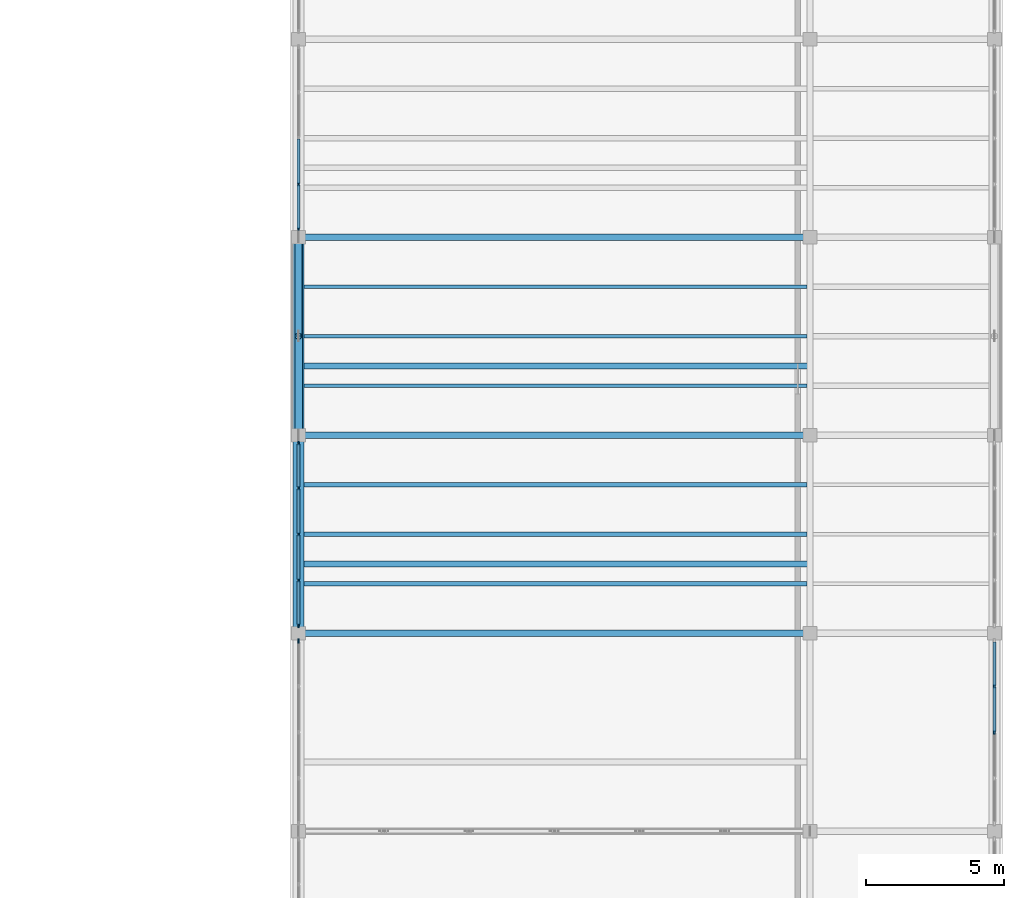
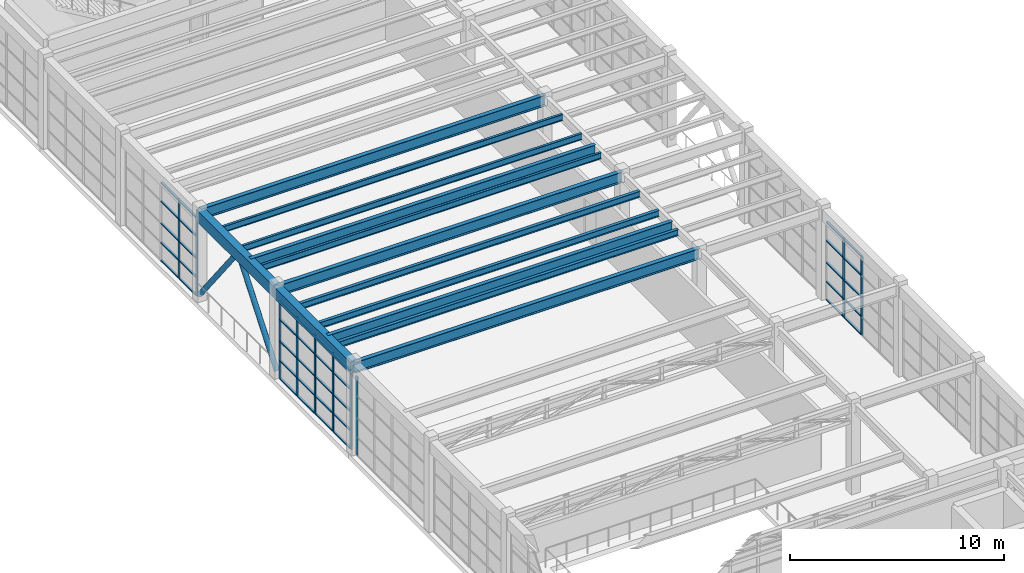
# One storey, part 53 of 103: 52 members, 13 beams, 4 elements without a shape of their own.
"""IFC4 building model written with IfcOpenShell, lengths in metres."""

import ifcopenshell
import ifcopenshell.guid

model = None  # the IFC model being written
_history = None  # IfcOwnerHistory: only IFC2X3 demands one
_inside = {}  # id of a spatial element -> (the spatial element, [elements in it])
_under = {}  # id of a project, library or spatial element -> (it, [spatial elements below it])
_declared = {}  # id of a project -> (the project, [libraries it declares])
_typed = {}  # id of a type object -> (the type object, [elements of that type])
_made_of = {}  # id of a material, layer set ... -> (it, [elements and type objects made of it])


def new_model(schema):
    """Start an empty IFC model of exactly this schema.

    Asked for "IFC4X3", IfcOpenShell would pick the latest addendum, in which some entities
    have other attributes; the version numbers below select the first issue.
    IFC2X3 requires an IfcOwnerHistory on every rooted entity: one is made here for all.
    """
    global model, _history
    if schema == "IFC4X3":
        model = ifcopenshell.file(schema_version=(4, 3, 0, 0))
    else:
        model = ifcopenshell.file(schema=schema)
    _inside.clear()
    _under.clear()
    _declared.clear()
    _typed.clear()
    _made_of.clear()
    _history = None
    if model.schema == "IFC2X3":
        org = make("IfcOrganization", Name="unknown")
        user = make(
            "IfcPersonAndOrganization",
            ThePerson=make("IfcPerson", FamilyName="unknown"),
            TheOrganization=org,
        )
        app = make(
            "IfcApplication",
            ApplicationDeveloper=org,
            Version="unknown",
            ApplicationFullName="unknown",
            ApplicationIdentifier="unknown",
        )
        _history = make(
            "IfcOwnerHistory",
            OwningUser=user,
            OwningApplication=app,
            ChangeAction="ADDED",
            CreationDate=0,
        )
    return model


def make(cls, **values):
    """One entity of the class cls with the attributes given. An attribute that is None is left unset."""
    return model.create_entity(
        cls, **{name: value for name, value in values.items() if value is not None}
    )


def rooted(cls, **values):
    """An entity with a GlobalId (a new one), such as an element, a storey or a relation."""
    return make(cls, GlobalId=ifcopenshell.guid.new(), OwnerHistory=_history, **values)


def si_unit(unit_type, name, prefix=None):
    """IfcSIUnit, for example si_unit("LENGTHUNIT", "METRE", prefix="MILLI")."""
    return make("IfcSIUnit", UnitType=unit_type, Prefix=prefix, Name=name)


def assignment(units):
    """IfcUnitAssignment: the units of a project."""
    return None if units is None else make("IfcUnitAssignment", Units=units)


def point(xyz):
    """IfcCartesianPoint."""
    return None if xyz is None else make("IfcCartesianPoint", Coordinates=xyz)


def direction(xyz):
    """IfcDirection."""
    return None if xyz is None else make("IfcDirection", DirectionRatios=xyz)


def frame(location, z_axis=None, x_axis=None):
    """IfcAxis2Placement3D, a coordinate frame: its origin and axes. An axis left out is left unset."""
    return make(
        "IfcAxis2Placement3D",
        Location=point(location),
        Axis=direction(z_axis),
        RefDirection=direction(x_axis),
    )


def frame_2d(location, x_axis=None):
    """IfcAxis2Placement2D, a coordinate frame in the plane: its origin and x axis."""
    return make(
        "IfcAxis2Placement2D", Location=point(location), RefDirection=direction(x_axis)
    )


def origin():
    """The frame at (0, 0, 0) with its axes left unset."""
    return frame((0.0, 0.0, 0.0))


def origin_2d():
    """The frame at (0, 0) in the plane with its x axis left unset."""
    return frame_2d((0.0, 0.0))


def place(relative_to, where):
    """IfcLocalPlacement: puts the frame where relative to a parent placement (None: the world)."""
    return make(
        "IfcLocalPlacement", PlacementRelTo=relative_to, RelativePlacement=where
    )


def context(
    kind, dimensions, precision=None, world=None, true_north=None, identifier=None
):
    """IfcGeometricRepresentationContext, for example the 3D "Model" context."""
    return make(
        "IfcGeometricRepresentationContext",
        ContextIdentifier=identifier,
        ContextType=kind,
        CoordinateSpaceDimension=dimensions,
        Precision=precision,
        WorldCoordinateSystem=world,
        TrueNorth=true_north,
    )


def subcontext(parent, identifier, kind, view, scale=None):
    """IfcGeometricRepresentationSubContext, for example "Body" below "Model"."""
    return make(
        "IfcGeometricRepresentationSubContext",
        ContextIdentifier=identifier,
        ContextType=kind,
        ParentContext=parent,
        TargetScale=scale,
        TargetView=view,
    )


def project(units=None, contexts=None):
    """IfcProject with its units and contexts."""
    return rooted(
        "IfcProject",
        Name="project",
        RepresentationContexts=contexts,
        UnitsInContext=assignment(units),
    )


def spatial(cls, under=None, at=None, **own):
    """A site, building, storey or space (cls), placed at a placement, below another one or the project."""
    s = rooted(cls, ObjectPlacement=at, **own)
    if under is not None:
        _under.setdefault(under.id(), (under, []))[1].append(s)
    return s


def profile(cls, at=None, kind="AREA", **sizes):
    """A parametric profile (cls). Its sizes go by their IFC names, for example OverallWidth=200.0."""
    return make(cls, ProfileType=kind, Position=at, **sizes)


def rectangle(**sizes):
    """IfcRectangleProfileDef."""
    return profile("IfcRectangleProfileDef", **sizes)


def hollow_circle(**sizes):
    """IfcCircleHollowProfileDef."""
    return profile("IfcCircleHollowProfileDef", **sizes)


def i_section(**sizes):
    """IfcIShapeProfileDef."""
    return profile("IfcIShapeProfileDef", **sizes)


def extrude(swept, where, along, depth):
    """IfcExtrudedAreaSolid: the profile swept, set in the frame where, extruded along a direction by depth."""
    return make(
        "IfcExtrudedAreaSolid",
        SweptArea=swept,
        Position=where,
        ExtrudedDirection=direction(along),
        Depth=depth,
    )


def shape(context_of_items, identifier, shape_type, items):
    """IfcShapeRepresentation: the items that make up one representation, for example the "Body"."""
    return make(
        "IfcShapeRepresentation",
        ContextOfItems=context_of_items,
        RepresentationIdentifier=identifier,
        RepresentationType=shape_type,
        Items=items,
    )


def material(Name=None, Category=None):
    """IfcMaterial."""
    return make("IfcMaterial", Name=Name, Category=Category)


def layer(
    of_material, thickness, ventilated=None, Name=None, Category=None, Priority=None
):
    """IfcMaterialLayer: one layer of a wall or slab, of a material (None: an air gap)."""
    return make(
        "IfcMaterialLayer",
        Material=of_material,
        LayerThickness=thickness,
        IsVentilated=ventilated,
        Name=Name,
        Category=Category,
        Priority=Priority,
    )


def layer_set(layers, Name=None):
    """IfcMaterialLayerSet."""
    return make("IfcMaterialLayerSet", MaterialLayers=layers, LayerSetName=Name)


def material_profile(
    of_material, cross_section, Name=None, Category=None, Priority=None
):
    """IfcMaterialProfile: a cross section and its material."""
    return make(
        "IfcMaterialProfile",
        Name=Name,
        Material=of_material,
        Profile=cross_section,
        Priority=Priority,
        Category=Category,
    )


def profile_set(profiles, Name=None, composite=None):
    """IfcMaterialProfileSet."""
    return make(
        "IfcMaterialProfileSet",
        Name=Name,
        MaterialProfiles=profiles,
        CompositeProfile=composite,
    )


def made_of(thing, what):
    """Note that an element or type object is made of a material, layer set ...; save() writes the relation."""
    if what is not None:
        _made_of.setdefault(what.id(), (what, []))[1].append(thing)
    return thing


def type_object(cls, material=None, **own):
    """A type object (cls), such as IfcWallType, which elements share."""
    return made_of(rooted(cls, **own), material)


def element(
    cls,
    number,
    at=None,
    inside=None,
    cuts=None,
    type_object=None,
    material=None,
    context=None,
    identifier="Body",
    shape_type=None,
    held_by="IfcProductDefinitionShape",
    body=None,
    shapes=None,
    **own,
):
    """One element of the class cls, such as IfcWall. Its Tag is "e" and its number.

    at: its placement. inside: the storey or other place that contains it. cuts: it is an
    opening in that element (IfcRelVoidsElement). A single representation is given by context,
    identifier, shape_type and body (its items); several are given by shapes. held_by: the class
    of the entity that holds the representations. save() writes the other relations.
    """
    e = rooted(cls, Tag="e%d" % number, ObjectPlacement=at, **own)
    if body is not None:
        shapes = [shape(context, identifier, shape_type, body)]
    if shapes is not None:
        e.Representation = make(held_by, Representations=shapes)
    if inside is not None:
        _inside.setdefault(inside.id(), (inside, []))[1].append(e)
    if cuts is not None:
        rooted(
            "IfcRelVoidsElement", RelatingBuildingElement=cuts, RelatedOpeningElement=e
        )
    if type_object is not None:
        _typed.setdefault(type_object.id(), (type_object, []))[1].append(e)
    return made_of(e, material)


def aggregate(whole, parts):
    """IfcRelAggregates: a whole, such as a stair, and the parts it consists of."""
    return rooted("IfcRelAggregates", RelatingObject=whole, RelatedObjects=parts)


def save(model, path):
    """Write the relations noted so far, then the file.

    IfcRelAggregates (storeys below a building ...), IfcRelContainedInSpatialStructure (elements
    in a storey), IfcRelDefinesByType, IfcRelAssociatesMaterial and IfcRelDeclares: one each for
    every whole, place, type object, material and project.
    """
    for whole, parts in _under.values():
        aggregate(whole, parts)
    for where, things in _inside.values():
        rooted(
            "IfcRelContainedInSpatialStructure",
            RelatedElements=things,
            RelatingStructure=where,
        )
    for kind, things in _typed.values():
        rooted("IfcRelDefinesByType", RelatedObjects=things, RelatingType=kind)
    for what, things in _made_of.values():
        rooted("IfcRelAssociatesMaterial", RelatedObjects=things, RelatingMaterial=what)
    for by, libraries in _declared.values():
        rooted("IfcRelDeclares", RelatingContext=by, RelatedDefinitions=libraries)
    model.write(path)


model = new_model("IFC4")

# Units and contexts
model_context = context("Model", 3, precision=1e-05, world=origin(), true_north=direction((0.0, 1.0)))
body_context = subcontext(model_context, "Body", "Model", "MODEL_VIEW")
ifc_project = project(units=[si_unit("LENGTHUNIT", "METRE"), si_unit("AREAUNIT", "SQUARE_METRE"), si_unit("VOLUMEUNIT", "CUBIC_METRE"), si_unit("PLANEANGLEUNIT", "RADIAN"), si_unit("MASSUNIT", "GRAM", prefix="KILO")], contexts=[model_context])

# Site, building, storey
site_placement = place(None, origin())
site = spatial("IfcSite", under=ifc_project, at=site_placement, CompositionType="ELEMENT")
building_placement = place(site_placement, origin())
building = spatial("IfcBuilding", under=site, at=building_placement, Name="Candilejo Ridge Gondola Terminal", CompositionType="ELEMENT")
storey_placement = place(building_placement, frame((0.0, 0.0, 9.0)))
storey = spatial("IfcBuildingStorey", under=building, at=storey_placement, Name="L02", CompositionType="ELEMENT", Elevation=9.0)

# Curtain wall, member
ifc_material_1 = material(Name="Anodised aluminium AA 6063-T6", Category="aluminium")
ifc_layer = layer(ifc_material_1, 0.169921875)
ifc_layer_set = layer_set([ifc_layer], Name="ARC-CW-TOWER-3000-670X449")
curtain_wall_type = type_object("IfcCurtainWallType", Name="ARC-CW-TOWER-3000-670X449", PredefinedType="NOTDEFINED", material=ifc_layer_set)
curtain_wall_1_placement = place(storey_placement, origin())
curtain_wall_1 = element("IfcCurtainWall", 1, at=curtain_wall_1_placement, inside=storey, type_object=curtain_wall_type, Name="Curtain wall V5 L02-178", PredefinedType="NOTDEFINED")
ifc_material_2 = material(Name="Anodised aluminium AA 6063-T6", Category="aluminium")
ifc_material_profile_1 = material_profile(ifc_material_2, rectangle(XDim=0.06494140625, YDim=0.14990234375, at=origin_2d()))
ifc_profile_set_1 = profile_set([ifc_material_profile_1], Name="Anodised aluminium AA 6063-T6")
member_type_1 = type_object("IfcMemberType", Name="ARC-CW-MULLION-150", PredefinedType="MULLION", material=ifc_profile_set_1)
member_1_placement = place(storey_placement, frame((150.0, 69.967529296875, 0.0), z_axis=(0.0, 0.0, 1.0), x_axis=(-1.0, 0.0, 0.0)))
member_1 = element("IfcMember", 2, at=member_1_placement, type_object=member_type_1, Name="CW-67X44 mullion 5", PredefinedType="MULLION", context=body_context, shape_type="SweptSolid", body=[
    extrude(rectangle(XDim=0.06494140625, YDim=0.14990234375, at=origin_2d()), origin(), (0.0, 0.0, 1.0), 4.489990234375),
])
aggregate(curtain_wall_1, [member_1])

# Curtain wall, members
curtain_wall_2_placement = place(storey_placement, origin())
curtain_wall_2 = element("IfcCurtainWall", 3, at=curtain_wall_2_placement, inside=storey, type_object=curtain_wall_type, Name="Curtain wall V5 L02-179", PredefinedType="NOTDEFINED")
member_2_placement = place(storey_placement, frame((175.300048828125, 66.64990234375, 0.0), z_axis=(0.0, 0.0, 1.0), x_axis=(-1.0, 0.0, 0.0)))
member_2 = element("IfcMember", 4, at=member_2_placement, type_object=member_type_1, Name="CW-67X44 mullion 3", PredefinedType="MULLION", context=body_context, shape_type="SweptSolid", body=[
    extrude(rectangle(XDim=0.06494140625, YDim=0.14990234375, at=origin_2d()), origin(), (0.0, 0.0, 1.0), 4.489990234375),
])
member_3_placement = place(storey_placement, frame((175.300048828125, 68.324951171875, 0.0), z_axis=(0.0, 0.0, 1.0), x_axis=(-1.0, 0.0, 0.0)))
member_3 = element("IfcMember", 5, at=member_3_placement, type_object=member_type_1, Name="CW-67X44 mullion 4", PredefinedType="MULLION", context=body_context, shape_type="SweptSolid", body=[
    extrude(rectangle(XDim=0.06494140625, YDim=0.14990234375, at=origin_2d()), origin(), (0.0, 0.0, 1.0), 4.489990234375),
])

curtain_wall_3_placement = place(storey_placement, origin())
curtain_wall_3 = element("IfcCurtainWall", 6, at=curtain_wall_3_placement, inside=storey, type_object=curtain_wall_type, Name="Curtain wall V5 L02-180", PredefinedType="NOTDEFINED")
member_4_placement = place(storey_placement, frame((150.0, 70.532470703125, 0.0), z_axis=(0.0, 0.0, 1.0), x_axis=(-1.0, 0.0, 0.0)))
member_4 = element("IfcMember", 7, at=member_4_placement, type_object=member_type_1, Name="CW-67X44 mullion 1", PredefinedType="MULLION", context=body_context, shape_type="SweptSolid", body=[
    extrude(rectangle(XDim=0.06494140625, YDim=0.14990234375, at=origin_2d()), origin(), (0.0, 0.0, 1.0), 4.489990234375),
])
member_5_placement = place(storey_placement, frame((150.0, 72.175048828125, 0.0), z_axis=(0.0, 0.0, 1.0), x_axis=(-1.0, 0.0, 0.0)))
member_5 = element("IfcMember", 8, at=member_5_placement, type_object=member_type_1, Name="CW-67X44 mullion 2", PredefinedType="MULLION", context=body_context, shape_type="SweptSolid", body=[
    extrude(rectangle(XDim=0.06494140625, YDim=0.14990234375, at=origin_2d()), origin(), (0.0, 0.0, 1.0), 4.489990234375),
])
member_6_placement = place(storey_placement, frame((150.0, 73.85009765625, 0.0), z_axis=(0.0, 0.0, 1.0), x_axis=(-1.0, 0.0, 0.0)))
member_6 = element("IfcMember", 9, at=member_6_placement, type_object=member_type_1, Name="CW-67X44 mullion 3", PredefinedType="MULLION", context=body_context, shape_type="SweptSolid", body=[
    extrude(rectangle(XDim=0.06494140625, YDim=0.14990234375, at=origin_2d()), origin(), (0.0, 0.0, 1.0), 4.489990234375),
])
member_7_placement = place(storey_placement, frame((150.0, 75.52490234375, 0.0), z_axis=(0.0, 0.0, 1.0), x_axis=(-1.0, 0.0, 0.0)))
member_7 = element("IfcMember", 10, at=member_7_placement, type_object=member_type_1, Name="CW-67X44 mullion 4", PredefinedType="MULLION", context=body_context, shape_type="SweptSolid", body=[
    extrude(rectangle(XDim=0.06494140625, YDim=0.14990234375, at=origin_2d()), origin(), (0.0, 0.0, 1.0), 4.489990234375),
])
member_8_placement = place(storey_placement, frame((150.0, 77.16748046875, 0.0), z_axis=(0.0, 0.0, 1.0), x_axis=(-1.0, 0.0, 0.0)))
member_8 = element("IfcMember", 11, at=member_8_placement, type_object=member_type_1, Name="CW-67X44 mullion 5", PredefinedType="MULLION", context=body_context, shape_type="SweptSolid", body=[
    extrude(rectangle(XDim=0.06494140625, YDim=0.14990234375, at=origin_2d()), origin(), (0.0, 0.0, 1.0), 4.489990234375),
])

curtain_wall_4_placement = place(storey_placement, origin())
curtain_wall_4 = element("IfcCurtainWall", 12, at=curtain_wall_4_placement, inside=storey, type_object=curtain_wall_type, Name="Curtain wall V5 L02-182", PredefinedType="NOTDEFINED")
member_9_placement = place(storey_placement, frame((150.0, 84.9326171875, 0.0), z_axis=(0.0, 0.0, 1.0), x_axis=(-1.0, 0.0, 0.0)))
member_9 = element("IfcMember", 13, at=member_9_placement, type_object=member_type_1, Name="CW-67X44 mullion 1", PredefinedType="MULLION", context=body_context, shape_type="SweptSolid", body=[
    extrude(rectangle(XDim=0.06494140625, YDim=0.14990234375, at=origin_2d()), origin(), (0.0, 0.0, 1.0), 4.489990234375),
])
member_10_placement = place(storey_placement, frame((150.0, 86.574951171875, 0.0), z_axis=(0.0, 0.0, 1.0), x_axis=(-1.0, 0.0, 0.0)))
member_10 = element("IfcMember", 14, at=member_10_placement, type_object=member_type_1, Name="CW-67X44 mullion 2", PredefinedType="MULLION", context=body_context, shape_type="SweptSolid", body=[
    extrude(rectangle(XDim=0.06494140625, YDim=0.14990234375, at=origin_2d()), origin(), (0.0, 0.0, 1.0), 4.489990234375),
])

# Member
ifc_material_3 = material(Name="Anodised aluminium AA 6063-T6", Category="aluminium")
ifc_material_profile_2 = material_profile(ifc_material_3, rectangle(XDim=0.110107421875, YDim=0.06005859375, at=origin_2d()))
ifc_profile_set_2 = profile_set([ifc_material_profile_2], Name="Anodised aluminium AA 6063-T6")
member_type_2 = type_object("IfcMemberType", Name="ARC-CW-TRANSOM-110", PredefinedType="USERDEFINED", material=ifc_profile_set_2)
member_11_placement = place(storey_placement, frame((175.300048828125, 66.6826171875, 0.030029296875), z_axis=(0.0, 1.0, 0.0), x_axis=(-1.0, 0.0, 0.0)))
member_11 = element("IfcMember", 15, at=member_11_placement, type_object=member_type_2, Name="CW-67X44 transom 3.1", ObjectType="TRANSOM", PredefinedType="USERDEFINED", context=body_context, shape_type="SweptSolid", body=[
    extrude(rectangle(XDim=0.110107421875, YDim=0.06005859375, at=origin_2d()), origin(), (0.0, 0.0, 1.0), 1.60986328125),
])

member_12_placement = place(storey_placement, frame((175.300048828125, 66.6826171875, 1.050048828125), z_axis=(0.0, 1.0, 0.0), x_axis=(-1.0, 0.0, 0.0)))
member_12 = element("IfcMember", 16, at=member_12_placement, type_object=member_type_2, Name="CW-67X44 transom 3.2", ObjectType="TRANSOM", PredefinedType="USERDEFINED", context=body_context, shape_type="SweptSolid", body=[
    extrude(rectangle(XDim=0.110107421875, YDim=0.06005859375, at=origin_2d()), origin(), (0.0, 0.0, 1.0), 1.60986328125),
])

member_13_placement = place(storey_placement, frame((175.300048828125, 66.6826171875, 2.14990234375), z_axis=(0.0, 1.0, 0.0), x_axis=(-1.0, 0.0, 0.0)))
member_13 = element("IfcMember", 17, at=member_13_placement, type_object=member_type_2, Name="CW-67X44 transom 3.3", ObjectType="TRANSOM", PredefinedType="USERDEFINED", context=body_context, shape_type="SweptSolid", body=[
    extrude(rectangle(XDim=0.110107421875, YDim=0.06005859375, at=origin_2d()), origin(), (0.0, 0.0, 1.0), 1.60986328125),
])

member_14_placement = place(storey_placement, frame((175.300048828125, 66.6826171875, 3.39990234375), z_axis=(0.0, 1.0, 0.0), x_axis=(-1.0, 0.0, 0.0)))
member_14 = element("IfcMember", 18, at=member_14_placement, type_object=member_type_2, Name="CW-67X44 transom 3.4", ObjectType="TRANSOM", PredefinedType="USERDEFINED", context=body_context, shape_type="SweptSolid", body=[
    extrude(rectangle(XDim=0.110107421875, YDim=0.06005859375, at=origin_2d()), origin(), (0.0, 0.0, 1.0), 1.60986328125),
])

member_15_placement = place(storey_placement, frame((175.300048828125, 66.6826171875, 4.4599609375), z_axis=(0.0, 1.0, 0.0), x_axis=(-1.0, 0.0, 0.0)))
member_15 = element("IfcMember", 19, at=member_15_placement, type_object=member_type_2, Name="CW-67X44 transom 3.5", ObjectType="TRANSOM", PredefinedType="USERDEFINED", context=body_context, shape_type="SweptSolid", body=[
    extrude(rectangle(XDim=0.110107421875, YDim=0.06005859375, at=origin_2d()), origin(), (0.0, 0.0, 1.0), 1.60986328125),
])

member_16_placement = place(storey_placement, frame((175.300048828125, 68.357421875, 0.030029296875), z_axis=(0.0, 1.0, 0.0), x_axis=(-1.0, 0.0, 0.0)))
member_16 = element("IfcMember", 20, at=member_16_placement, type_object=member_type_2, Name="CW-67X44 transom 4.1", ObjectType="TRANSOM", PredefinedType="USERDEFINED", context=body_context, shape_type="SweptSolid", body=[
    extrude(rectangle(XDim=0.110107421875, YDim=0.06005859375, at=origin_2d()), origin(), (0.0, 0.0, 1.0), 1.57763671875),
])

member_17_placement = place(storey_placement, frame((175.300048828125, 68.357421875, 1.050048828125), z_axis=(0.0, 1.0, 0.0), x_axis=(-1.0, 0.0, 0.0)))
member_17 = element("IfcMember", 21, at=member_17_placement, type_object=member_type_2, Name="CW-67X44 transom 4.2", ObjectType="TRANSOM", PredefinedType="USERDEFINED", context=body_context, shape_type="SweptSolid", body=[
    extrude(rectangle(XDim=0.110107421875, YDim=0.06005859375, at=origin_2d()), origin(), (0.0, 0.0, 1.0), 1.57763671875),
])

member_18_placement = place(storey_placement, frame((175.300048828125, 68.357421875, 2.14990234375), z_axis=(0.0, 1.0, 0.0), x_axis=(-1.0, 0.0, 0.0)))
member_18 = element("IfcMember", 22, at=member_18_placement, type_object=member_type_2, Name="CW-67X44 transom 4.3", ObjectType="TRANSOM", PredefinedType="USERDEFINED", context=body_context, shape_type="SweptSolid", body=[
    extrude(rectangle(XDim=0.110107421875, YDim=0.06005859375, at=origin_2d()), origin(), (0.0, 0.0, 1.0), 1.57763671875),
])

member_19_placement = place(storey_placement, frame((175.300048828125, 68.357421875, 3.39990234375), z_axis=(0.0, 1.0, 0.0), x_axis=(-1.0, 0.0, 0.0)))
member_19 = element("IfcMember", 23, at=member_19_placement, type_object=member_type_2, Name="CW-67X44 transom 4.4", ObjectType="TRANSOM", PredefinedType="USERDEFINED", context=body_context, shape_type="SweptSolid", body=[
    extrude(rectangle(XDim=0.110107421875, YDim=0.06005859375, at=origin_2d()), origin(), (0.0, 0.0, 1.0), 1.57763671875),
])

member_20_placement = place(storey_placement, frame((175.300048828125, 68.357421875, 4.4599609375), z_axis=(0.0, 1.0, 0.0), x_axis=(-1.0, 0.0, 0.0)))
member_20 = element("IfcMember", 24, at=member_20_placement, type_object=member_type_2, Name="CW-67X44 transom 4.5", ObjectType="TRANSOM", PredefinedType="USERDEFINED", context=body_context, shape_type="SweptSolid", body=[
    extrude(rectangle(XDim=0.110107421875, YDim=0.06005859375, at=origin_2d()), origin(), (0.0, 0.0, 1.0), 1.57763671875),
])

aggregate(curtain_wall_2, [member_2, member_3, member_11, member_12, member_13, member_14, member_15, member_16, member_17, member_18, member_19, member_20])

member_21_placement = place(storey_placement, frame((150.0, 70.56494140625, 0.030029296875), z_axis=(0.0, 1.0, 0.0), x_axis=(-1.0, 0.0, 0.0)))
member_21 = element("IfcMember", 25, at=member_21_placement, type_object=member_type_2, Name="CW-67X44 transom 1.1", ObjectType="TRANSOM", PredefinedType="USERDEFINED", context=body_context, shape_type="SweptSolid", body=[
    extrude(rectangle(XDim=0.110107421875, YDim=0.06005859375, at=origin_2d()), origin(), (0.0, 0.0, 1.0), 1.57763671875),
])

member_22_placement = place(storey_placement, frame((150.0, 70.56494140625, 1.050048828125), z_axis=(0.0, 1.0, 0.0), x_axis=(-1.0, 0.0, 0.0)))
member_22 = element("IfcMember", 26, at=member_22_placement, type_object=member_type_2, Name="CW-67X44 transom 1.2", ObjectType="TRANSOM", PredefinedType="USERDEFINED", context=body_context, shape_type="SweptSolid", body=[
    extrude(rectangle(XDim=0.110107421875, YDim=0.06005859375, at=origin_2d()), origin(), (0.0, 0.0, 1.0), 1.57763671875),
])

member_23_placement = place(storey_placement, frame((150.0, 70.56494140625, 2.14990234375), z_axis=(0.0, 1.0, 0.0), x_axis=(-1.0, 0.0, 0.0)))
member_23 = element("IfcMember", 27, at=member_23_placement, type_object=member_type_2, Name="CW-67X44 transom 1.3", ObjectType="TRANSOM", PredefinedType="USERDEFINED", context=body_context, shape_type="SweptSolid", body=[
    extrude(rectangle(XDim=0.110107421875, YDim=0.06005859375, at=origin_2d()), origin(), (0.0, 0.0, 1.0), 1.57763671875),
])

member_24_placement = place(storey_placement, frame((150.0, 70.56494140625, 3.39990234375), z_axis=(0.0, 1.0, 0.0), x_axis=(-1.0, 0.0, 0.0)))
member_24 = element("IfcMember", 28, at=member_24_placement, type_object=member_type_2, Name="CW-67X44 transom 1.4", ObjectType="TRANSOM", PredefinedType="USERDEFINED", context=body_context, shape_type="SweptSolid", body=[
    extrude(rectangle(XDim=0.110107421875, YDim=0.06005859375, at=origin_2d()), origin(), (0.0, 0.0, 1.0), 1.57763671875),
])

member_25_placement = place(storey_placement, frame((150.0, 70.56494140625, 4.4599609375), z_axis=(0.0, 1.0, 0.0), x_axis=(-1.0, 0.0, 0.0)))
member_25 = element("IfcMember", 29, at=member_25_placement, type_object=member_type_2, Name="CW-67X44 transom 1.5", ObjectType="TRANSOM", PredefinedType="USERDEFINED", context=body_context, shape_type="SweptSolid", body=[
    extrude(rectangle(XDim=0.110107421875, YDim=0.06005859375, at=origin_2d()), origin(), (0.0, 0.0, 1.0), 1.57763671875),
])

member_26_placement = place(storey_placement, frame((150.0, 72.20751953125, 0.030029296875), z_axis=(0.0, 1.0, 0.0), x_axis=(-1.0, 0.0, 0.0)))
member_26 = element("IfcMember", 30, at=member_26_placement, type_object=member_type_2, Name="CW-67X44 transom 2.1", ObjectType="TRANSOM", PredefinedType="USERDEFINED", context=body_context, shape_type="SweptSolid", body=[
    extrude(rectangle(XDim=0.110107421875, YDim=0.06005859375, at=origin_2d()), origin(), (0.0, 0.0, 1.0), 1.60986328125),
])

member_27_placement = place(storey_placement, frame((150.0, 72.20751953125, 1.050048828125), z_axis=(0.0, 1.0, 0.0), x_axis=(-1.0, 0.0, 0.0)))
member_27 = element("IfcMember", 31, at=member_27_placement, type_object=member_type_2, Name="CW-67X44 transom 2.2", ObjectType="TRANSOM", PredefinedType="USERDEFINED", context=body_context, shape_type="SweptSolid", body=[
    extrude(rectangle(XDim=0.110107421875, YDim=0.06005859375, at=origin_2d()), origin(), (0.0, 0.0, 1.0), 1.60986328125),
])

member_28_placement = place(storey_placement, frame((150.0, 72.20751953125, 2.14990234375), z_axis=(0.0, 1.0, 0.0), x_axis=(-1.0, 0.0, 0.0)))
member_28 = element("IfcMember", 32, at=member_28_placement, type_object=member_type_2, Name="CW-67X44 transom 2.3", ObjectType="TRANSOM", PredefinedType="USERDEFINED", context=body_context, shape_type="SweptSolid", body=[
    extrude(rectangle(XDim=0.110107421875, YDim=0.06005859375, at=origin_2d()), origin(), (0.0, 0.0, 1.0), 1.60986328125),
])

member_29_placement = place(storey_placement, frame((150.0, 72.20751953125, 3.39990234375), z_axis=(0.0, 1.0, 0.0), x_axis=(-1.0, 0.0, 0.0)))
member_29 = element("IfcMember", 33, at=member_29_placement, type_object=member_type_2, Name="CW-67X44 transom 2.4", ObjectType="TRANSOM", PredefinedType="USERDEFINED", context=body_context, shape_type="SweptSolid", body=[
    extrude(rectangle(XDim=0.110107421875, YDim=0.06005859375, at=origin_2d()), origin(), (0.0, 0.0, 1.0), 1.60986328125),
])

member_30_placement = place(storey_placement, frame((150.0, 72.20751953125, 4.4599609375), z_axis=(0.0, 1.0, 0.0), x_axis=(-1.0, 0.0, 0.0)))
member_30 = element("IfcMember", 34, at=member_30_placement, type_object=member_type_2, Name="CW-67X44 transom 2.5", ObjectType="TRANSOM", PredefinedType="USERDEFINED", context=body_context, shape_type="SweptSolid", body=[
    extrude(rectangle(XDim=0.110107421875, YDim=0.06005859375, at=origin_2d()), origin(), (0.0, 0.0, 1.0), 1.60986328125),
])

member_31_placement = place(storey_placement, frame((150.0, 73.882568359375, 0.030029296875), z_axis=(0.0, 1.0, 0.0), x_axis=(-1.0, 0.0, 0.0)))
member_31 = element("IfcMember", 35, at=member_31_placement, type_object=member_type_2, Name="CW-67X44 transom 3.1", ObjectType="TRANSOM", PredefinedType="USERDEFINED", context=body_context, shape_type="SweptSolid", body=[
    extrude(rectangle(XDim=0.110107421875, YDim=0.06005859375, at=origin_2d()), origin(), (0.0, 0.0, 1.0), 1.60986328125),
])

member_32_placement = place(storey_placement, frame((150.0, 73.882568359375, 1.050048828125), z_axis=(0.0, 1.0, 0.0), x_axis=(-1.0, 0.0, 0.0)))
member_32 = element("IfcMember", 36, at=member_32_placement, type_object=member_type_2, Name="CW-67X44 transom 3.2", ObjectType="TRANSOM", PredefinedType="USERDEFINED", context=body_context, shape_type="SweptSolid", body=[
    extrude(rectangle(XDim=0.110107421875, YDim=0.06005859375, at=origin_2d()), origin(), (0.0, 0.0, 1.0), 1.60986328125),
])

member_33_placement = place(storey_placement, frame((150.0, 73.882568359375, 2.14990234375), z_axis=(0.0, 1.0, 0.0), x_axis=(-1.0, 0.0, 0.0)))
member_33 = element("IfcMember", 37, at=member_33_placement, type_object=member_type_2, Name="CW-67X44 transom 3.3", ObjectType="TRANSOM", PredefinedType="USERDEFINED", context=body_context, shape_type="SweptSolid", body=[
    extrude(rectangle(XDim=0.110107421875, YDim=0.06005859375, at=origin_2d()), origin(), (0.0, 0.0, 1.0), 1.60986328125),
])

member_34_placement = place(storey_placement, frame((150.0, 73.882568359375, 3.39990234375), z_axis=(0.0, 1.0, 0.0), x_axis=(-1.0, 0.0, 0.0)))
member_34 = element("IfcMember", 38, at=member_34_placement, type_object=member_type_2, Name="CW-67X44 transom 3.4", ObjectType="TRANSOM", PredefinedType="USERDEFINED", context=body_context, shape_type="SweptSolid", body=[
    extrude(rectangle(XDim=0.110107421875, YDim=0.06005859375, at=origin_2d()), origin(), (0.0, 0.0, 1.0), 1.60986328125),
])

member_35_placement = place(storey_placement, frame((150.0, 73.882568359375, 4.4599609375), z_axis=(0.0, 1.0, 0.0), x_axis=(-1.0, 0.0, 0.0)))
member_35 = element("IfcMember", 39, at=member_35_placement, type_object=member_type_2, Name="CW-67X44 transom 3.5", ObjectType="TRANSOM", PredefinedType="USERDEFINED", context=body_context, shape_type="SweptSolid", body=[
    extrude(rectangle(XDim=0.110107421875, YDim=0.06005859375, at=origin_2d()), origin(), (0.0, 0.0, 1.0), 1.60986328125),
])

member_36_placement = place(storey_placement, frame((150.0, 75.5576171875, 0.030029296875), z_axis=(0.0, 1.0, 0.0), x_axis=(-1.0, 0.0, 0.0)))
member_36 = element("IfcMember", 40, at=member_36_placement, type_object=member_type_2, Name="CW-67X44 transom 4.1", ObjectType="TRANSOM", PredefinedType="USERDEFINED", context=body_context, shape_type="SweptSolid", body=[
    extrude(rectangle(XDim=0.110107421875, YDim=0.06005859375, at=origin_2d()), origin(), (0.0, 0.0, 1.0), 1.577392578125),
])

member_37_placement = place(storey_placement, frame((150.0, 75.5576171875, 1.050048828125), z_axis=(0.0, 1.0, 0.0), x_axis=(-1.0, 0.0, 0.0)))
member_37 = element("IfcMember", 41, at=member_37_placement, type_object=member_type_2, Name="CW-67X44 transom 4.2", ObjectType="TRANSOM", PredefinedType="USERDEFINED", context=body_context, shape_type="SweptSolid", body=[
    extrude(rectangle(XDim=0.110107421875, YDim=0.06005859375, at=origin_2d()), origin(), (0.0, 0.0, 1.0), 1.577392578125),
])

member_38_placement = place(storey_placement, frame((150.0, 75.5576171875, 2.14990234375), z_axis=(0.0, 1.0, 0.0), x_axis=(-1.0, 0.0, 0.0)))
member_38 = element("IfcMember", 42, at=member_38_placement, type_object=member_type_2, Name="CW-67X44 transom 4.3", ObjectType="TRANSOM", PredefinedType="USERDEFINED", context=body_context, shape_type="SweptSolid", body=[
    extrude(rectangle(XDim=0.110107421875, YDim=0.06005859375, at=origin_2d()), origin(), (0.0, 0.0, 1.0), 1.577392578125),
])

member_39_placement = place(storey_placement, frame((150.0, 75.5576171875, 3.39990234375), z_axis=(0.0, 1.0, 0.0), x_axis=(-1.0, 0.0, 0.0)))
member_39 = element("IfcMember", 43, at=member_39_placement, type_object=member_type_2, Name="CW-67X44 transom 4.4", ObjectType="TRANSOM", PredefinedType="USERDEFINED", context=body_context, shape_type="SweptSolid", body=[
    extrude(rectangle(XDim=0.110107421875, YDim=0.06005859375, at=origin_2d()), origin(), (0.0, 0.0, 1.0), 1.577392578125),
])

member_40_placement = place(storey_placement, frame((150.0, 75.5576171875, 4.4599609375), z_axis=(0.0, 1.0, 0.0), x_axis=(-1.0, 0.0, 0.0)))
member_40 = element("IfcMember", 44, at=member_40_placement, type_object=member_type_2, Name="CW-67X44 transom 4.5", ObjectType="TRANSOM", PredefinedType="USERDEFINED", context=body_context, shape_type="SweptSolid", body=[
    extrude(rectangle(XDim=0.110107421875, YDim=0.06005859375, at=origin_2d()), origin(), (0.0, 0.0, 1.0), 1.577392578125),
])

aggregate(curtain_wall_3, [member_4, member_5, member_6, member_7, member_8, member_21, member_22, member_23, member_24, member_25, member_26, member_27, member_28, member_29, member_30, member_31, member_32, member_33, member_34, member_35, member_36, member_37, member_38, member_39, member_40])

member_41_placement = place(storey_placement, frame((150.0, 84.965087890625, 0.030029296875), z_axis=(0.0, 1.0, 0.0), x_axis=(-1.0, 0.0, 0.0)))
member_41 = element("IfcMember", 45, at=member_41_placement, type_object=member_type_2, Name="CW-67X44 transom 1.1", ObjectType="TRANSOM", PredefinedType="USERDEFINED", context=body_context, shape_type="SweptSolid", body=[
    extrude(rectangle(XDim=0.110107421875, YDim=0.06005859375, at=origin_2d()), origin(), (0.0, 0.0, 1.0), 1.577392578125),
])

member_42_placement = place(storey_placement, frame((150.0, 84.965087890625, 1.050048828125), z_axis=(0.0, 1.0, 0.0), x_axis=(-1.0, 0.0, 0.0)))
member_42 = element("IfcMember", 46, at=member_42_placement, type_object=member_type_2, Name="CW-67X44 transom 1.2", ObjectType="TRANSOM", PredefinedType="USERDEFINED", context=body_context, shape_type="SweptSolid", body=[
    extrude(rectangle(XDim=0.110107421875, YDim=0.06005859375, at=origin_2d()), origin(), (0.0, 0.0, 1.0), 1.577392578125),
])

member_43_placement = place(storey_placement, frame((150.0, 84.965087890625, 2.14990234375), z_axis=(0.0, 1.0, 0.0), x_axis=(-1.0, 0.0, 0.0)))
member_43 = element("IfcMember", 47, at=member_43_placement, type_object=member_type_2, Name="CW-67X44 transom 1.3", ObjectType="TRANSOM", PredefinedType="USERDEFINED", context=body_context, shape_type="SweptSolid", body=[
    extrude(rectangle(XDim=0.110107421875, YDim=0.06005859375, at=origin_2d()), origin(), (0.0, 0.0, 1.0), 1.577392578125),
])

member_44_placement = place(storey_placement, frame((150.0, 84.965087890625, 3.39990234375), z_axis=(0.0, 1.0, 0.0), x_axis=(-1.0, 0.0, 0.0)))
member_44 = element("IfcMember", 48, at=member_44_placement, type_object=member_type_2, Name="CW-67X44 transom 1.4", ObjectType="TRANSOM", PredefinedType="USERDEFINED", context=body_context, shape_type="SweptSolid", body=[
    extrude(rectangle(XDim=0.110107421875, YDim=0.06005859375, at=origin_2d()), origin(), (0.0, 0.0, 1.0), 1.577392578125),
])

member_45_placement = place(storey_placement, frame((150.0, 84.965087890625, 4.4599609375), z_axis=(0.0, 1.0, 0.0), x_axis=(-1.0, 0.0, 0.0)))
member_45 = element("IfcMember", 49, at=member_45_placement, type_object=member_type_2, Name="CW-67X44 transom 1.5", ObjectType="TRANSOM", PredefinedType="USERDEFINED", context=body_context, shape_type="SweptSolid", body=[
    extrude(rectangle(XDim=0.110107421875, YDim=0.06005859375, at=origin_2d()), origin(), (0.0, 0.0, 1.0), 1.577392578125),
])

member_46_placement = place(storey_placement, frame((150.0, 86.607421875, 0.030029296875), z_axis=(0.0, 1.0, 0.0), x_axis=(-1.0, 0.0, 0.0)))
member_46 = element("IfcMember", 50, at=member_46_placement, type_object=member_type_2, Name="CW-67X44 transom 2.1", ObjectType="TRANSOM", PredefinedType="USERDEFINED", context=body_context, shape_type="SweptSolid", body=[
    extrude(rectangle(XDim=0.110107421875, YDim=0.06005859375, at=origin_2d()), origin(), (0.0, 0.0, 1.0), 1.610107421875),
])

member_47_placement = place(storey_placement, frame((150.0, 86.607421875, 1.050048828125), z_axis=(0.0, 1.0, 0.0), x_axis=(-1.0, 0.0, 0.0)))
member_47 = element("IfcMember", 51, at=member_47_placement, type_object=member_type_2, Name="CW-67X44 transom 2.2", ObjectType="TRANSOM", PredefinedType="USERDEFINED", context=body_context, shape_type="SweptSolid", body=[
    extrude(rectangle(XDim=0.110107421875, YDim=0.06005859375, at=origin_2d()), origin(), (0.0, 0.0, 1.0), 1.610107421875),
])

member_48_placement = place(storey_placement, frame((150.0, 86.607421875, 2.14990234375), z_axis=(0.0, 1.0, 0.0), x_axis=(-1.0, 0.0, 0.0)))
member_48 = element("IfcMember", 52, at=member_48_placement, type_object=member_type_2, Name="CW-67X44 transom 2.3", ObjectType="TRANSOM", PredefinedType="USERDEFINED", context=body_context, shape_type="SweptSolid", body=[
    extrude(rectangle(XDim=0.110107421875, YDim=0.06005859375, at=origin_2d()), origin(), (0.0, 0.0, 1.0), 1.610107421875),
])

member_49_placement = place(storey_placement, frame((150.0, 86.607421875, 3.39990234375), z_axis=(0.0, 1.0, 0.0), x_axis=(-1.0, 0.0, 0.0)))
member_49 = element("IfcMember", 53, at=member_49_placement, type_object=member_type_2, Name="CW-67X44 transom 2.4", ObjectType="TRANSOM", PredefinedType="USERDEFINED", context=body_context, shape_type="SweptSolid", body=[
    extrude(rectangle(XDim=0.110107421875, YDim=0.06005859375, at=origin_2d()), origin(), (0.0, 0.0, 1.0), 1.610107421875),
])

member_50_placement = place(storey_placement, frame((150.0, 86.607421875, 4.4599609375), z_axis=(0.0, 1.0, 0.0), x_axis=(-1.0, 0.0, 0.0)))
member_50 = element("IfcMember", 54, at=member_50_placement, type_object=member_type_2, Name="CW-67X44 transom 2.5", ObjectType="TRANSOM", PredefinedType="USERDEFINED", context=body_context, shape_type="SweptSolid", body=[
    extrude(rectangle(XDim=0.110107421875, YDim=0.06005859375, at=origin_2d()), origin(), (0.0, 0.0, 1.0), 1.610107421875),
])

aggregate(curtain_wall_4, [member_9, member_10, member_41, member_42, member_43, member_44, member_45, member_46, member_47, member_48, member_49, member_50])

# Beams
ifc_material_4 = material(Name="Steel ASTM A992 Grade 50", Category="steel")
ifc_material_profile_3 = material_profile(ifc_material_4, i_section(OverallWidth=0.208984375, OverallDepth=0.532958984375, WebThickness=0.01025390625, FlangeThickness=0.015625, at=origin_2d()))
ifc_profile_set_3 = profile_set([ifc_material_profile_3], Name="Steel ASTM A992 Grade 50")
beam_type_1 = type_object("IfcBeamType", Name="STR-BM-W530X92", PredefinedType="BEAM", material=ifc_profile_set_3)
for number, where, z_axis, x_axis, name in (
    (55, (150.0, 72.77001953125, 4.8935546875), (1.0, 0.0, 0.0), (0.0, 1.0, 0.0), "Cabin storage runway girder 04"),
    (56, (150.0, 79.969970703125, 4.8935546875), (1.0, 0.0, 0.0), (0.0, 1.0, 0.0), "Cabin storage runway girder 05"),
):
    element("IfcBeam", number, at=place(storey_placement, frame(where, z_axis=z_axis, x_axis=x_axis)), inside=storey, type_object=beam_type_1, Name=name, PredefinedType="BEAM", context=body_context, shape_type="SweptSolid", body=[
        extrude(i_section(OverallWidth=0.208984375, OverallDepth=0.532958984375, WebThickness=0.01025390625, FlangeThickness=0.015625, at=origin_2d()), origin(), (0.0, 0.0, 1.0), 18.60009765625),
    ])
ifc_material_5 = material(Name="Steel ASTM A992 Grade 50", Category="steel")
ifc_material_profile_4 = material_profile(ifc_material_5, i_section(OverallWidth=0.22900390625, OverallDepth=0.612060546875, WebThickness=0.011962890625, FlangeThickness=0.01953125, at=origin_2d()))
ifc_profile_set_4 = profile_set([ifc_material_profile_4], Name="Steel ASTM A992 Grade 50")
beam_type_2 = type_object("IfcBeamType", Name="STR-BM-W610X125", PredefinedType="BEAM", material=ifc_profile_set_4)
for number, where, z_axis, x_axis, name in (
    (57, (150.0, 70.25, 4.85400390625), (1.0, 0.0, 0.0), (0.0, 1.0, 0.0), "Beam X V5 L02 X23-X25@Y13"),
    (58, (150.0, 77.449951171875, 4.85400390625), (1.0, 0.0, 0.0), (0.0, 1.0, 0.0), "Beam X V5 L02 X23-X25@Y14"),
    (59, (150.0, 84.64990234375, 4.85400390625), (1.0, 0.0, 0.0), (0.0, 1.0, 0.0), "Beam X V5 L02 X23-X25@Y15"),
):
    element("IfcBeam", number, at=place(storey_placement, frame(where, z_axis=z_axis, x_axis=x_axis)), inside=storey, type_object=beam_type_2, Name=name, PredefinedType="BEAM", context=body_context, shape_type="SweptSolid", body=[
        extrude(i_section(OverallWidth=0.22900390625, OverallDepth=0.612060546875, WebThickness=0.011962890625, FlangeThickness=0.01953125, at=origin_2d()), origin(), (0.0, 0.0, 1.0), 18.60009765625),
    ])

# Members
ifc_material_6 = material(Name="Steel ASTM A500 Grade C", Category="steel")
ifc_material_profile_5 = material_profile(ifc_material_6, hollow_circle(Radius=0.136474609375, WallThickness=0.00927734375, at=origin_2d()))
ifc_profile_set_5 = profile_set([ifc_material_profile_5], Name="Steel ASTM A500 Grade C")
member_type_3 = type_object("IfcMemberType", Name="STR-BRC-CHS273", PredefinedType="BRACE", material=ifc_profile_set_5)
for number, where, z_axis, x_axis, name in (
    (60, (150.0, 77.449951171875, 0.25), (0.0, 0.617569973039, 0.786515942878), (-1.0, 0.0, 0.0), "Chevron brace V5 L02-08A"),
    (61, (150.0, 84.64990234375, 0.25), (0.0, -0.617544064445, 0.786536285539), (1.0, 0.0, 0.0), "Chevron brace V5 L02-08B"),
):
    element("IfcMember", number, at=place(storey_placement, frame(where, z_axis=z_axis, x_axis=x_axis)), inside=storey, type_object=member_type_3, Name=name, PredefinedType="BRACE", context=body_context, shape_type="SweptSolid", body=[
        extrude(hollow_circle(Radius=0.136474609375, WallThickness=0.00927734375, at=origin_2d()), origin(), (0.0, 0.0, 1.0), 5.829345703125),
    ])

# Beams
ifc_material_7 = material(Name="Steel ASTM A992 Grade 50", Category="steel")
ifc_material_profile_6 = material_profile(ifc_material_7, i_section(OverallWidth=0.1279296875, OverallDepth=0.35302734375, WebThickness=0.006591796875, FlangeThickness=0.0107421875, at=origin_2d()))
ifc_profile_set_6 = profile_set([ifc_material_profile_6], Name="Steel ASTM A992 Grade 50")
beam_type_3 = type_object("IfcBeamType", Name="STR-JST-W360X39", PredefinedType="JOIST", material=ifc_profile_set_6)
for number, where, z_axis, x_axis, name in (
    (62, (150.199951171875, 79.25, 4.9833984375), (1.0, 0.0, 0.0), (0.0, 1.0, 0.0), "Composite joist V5 L02-1309"),
    (63, (150.199951171875, 81.050048828125, 4.9833984375), (1.0, 0.0, 0.0), (0.0, 1.0, 0.0), "Composite joist V5 L02-1310"),
    (64, (150.199951171875, 82.85009765625, 4.9833984375), (1.0, 0.0, 0.0), (0.0, 1.0, 0.0), "Composite joist V5 L02-1311"),
):
    element("IfcBeam", number, at=place(storey_placement, frame(where, z_axis=z_axis, x_axis=x_axis)), inside=storey, type_object=beam_type_3, Name=name, PredefinedType="JOIST", context=body_context, shape_type="SweptSolid", body=[
        extrude(i_section(OverallWidth=0.1279296875, OverallDepth=0.35302734375, WebThickness=0.006591796875, FlangeThickness=0.0107421875, at=origin_2d()), origin(), (0.0, 0.0, 1.0), 18.295654296875),
    ])
ifc_material_8 = material(Name="Steel ASTM A992 Grade 50", Category="steel")
ifc_material_profile_7 = material_profile(ifc_material_8, i_section(OverallWidth=0.1708984375, OverallDepth=0.35205078125, WebThickness=0.0068359375, FlangeThickness=0.009765625, at=origin_2d()))
ifc_profile_set_7 = profile_set([ifc_material_profile_7], Name="Steel ASTM A992 Grade 50")
beam_type_4 = type_object("IfcBeamType", Name="STR-JST-W360X44", PredefinedType="JOIST", material=ifc_profile_set_7)
for number, where, z_axis, x_axis, name in (
    (65, (150.199951171875, 72.050048828125, 4.98388671875), (1.0, 0.0, 0.0), (0.0, 1.0, 0.0), "Composite joist V5 L02-1306"),
    (66, (150.199951171875, 73.85009765625, 4.98388671875), (1.0, 0.0, 0.0), (0.0, 1.0, 0.0), "Composite joist V5 L02-1307"),
    (67, (150.199951171875, 75.64990234375, 4.98388671875), (1.0, 0.0, 0.0), (0.0, 1.0, 0.0), "Composite joist V5 L02-1308"),
):
    element("IfcBeam", number, at=place(storey_placement, frame(where, z_axis=z_axis, x_axis=x_axis)), inside=storey, type_object=beam_type_4, Name=name, PredefinedType="JOIST", context=body_context, shape_type="SweptSolid", body=[
        extrude(i_section(OverallWidth=0.1708984375, OverallDepth=0.35205078125, WebThickness=0.0068359375, FlangeThickness=0.009765625, at=origin_2d()), origin(), (0.0, 0.0, 1.0), 18.295654296875),
    ])
ifc_material_9 = material(Name="Concrete f'c 35 MPa (C35/45)", Category="concrete")
ifc_material_profile_8 = material_profile(ifc_material_9, rectangle(XDim=0.39990234375, YDim=0.64990234375, at=origin_2d()))
ifc_profile_set_8 = profile_set([ifc_material_profile_8], Name="Concrete f'c 35 MPa (C35/45)")
beam_type_5 = type_object("IfcBeamType", Name="STR-SPN-RC400X650", PredefinedType="SPANDREL", material=ifc_profile_set_8)
for number, where, z_axis, x_axis, name in (
    (68, (150.0, 70.25, 4.8349609375), (0.0, 1.0, 0.0), (-1.0, 0.0, 0.0), "Beam Y V5 L02 Y13-Y14@X23"),
    (69, (150.0, 77.449951171875, 4.8349609375), (0.0, 1.0, 0.0), (-1.0, 0.0, 0.0), "Beam Y V5 L02 Y14-Y15@X23"),
):
    element("IfcBeam", number, at=place(storey_placement, frame(where, z_axis=z_axis, x_axis=x_axis)), inside=storey, type_object=beam_type_5, Name=name, PredefinedType="SPANDREL", context=body_context, shape_type="SweptSolid", body=[
        extrude(rectangle(XDim=0.39990234375, YDim=0.64990234375, at=origin_2d()), origin(), (0.0, 0.0, 1.0), 7.199951171875),
    ])

save(model, "model.ifc")
